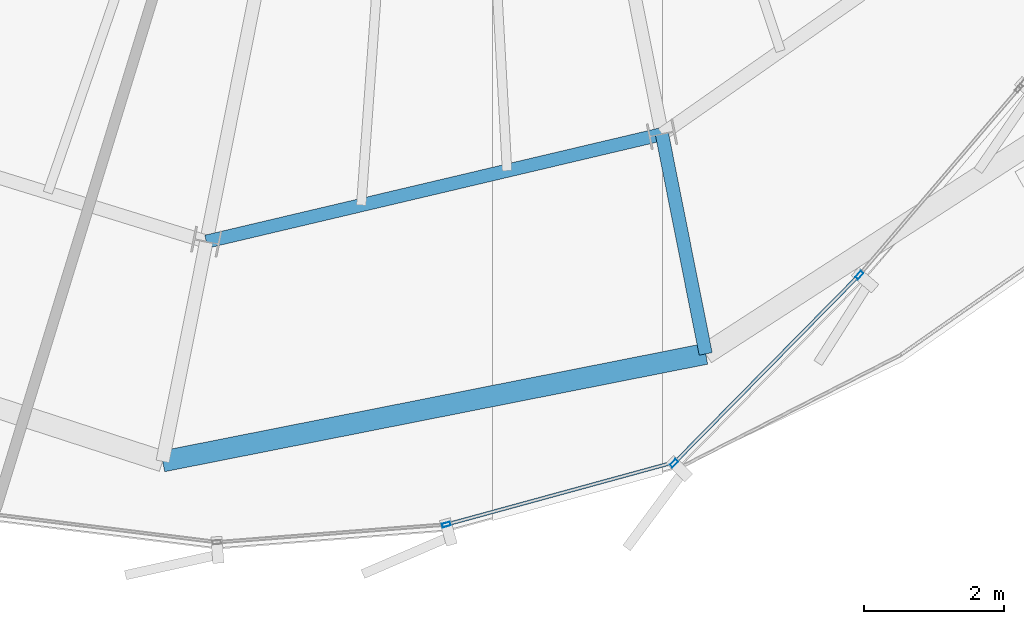
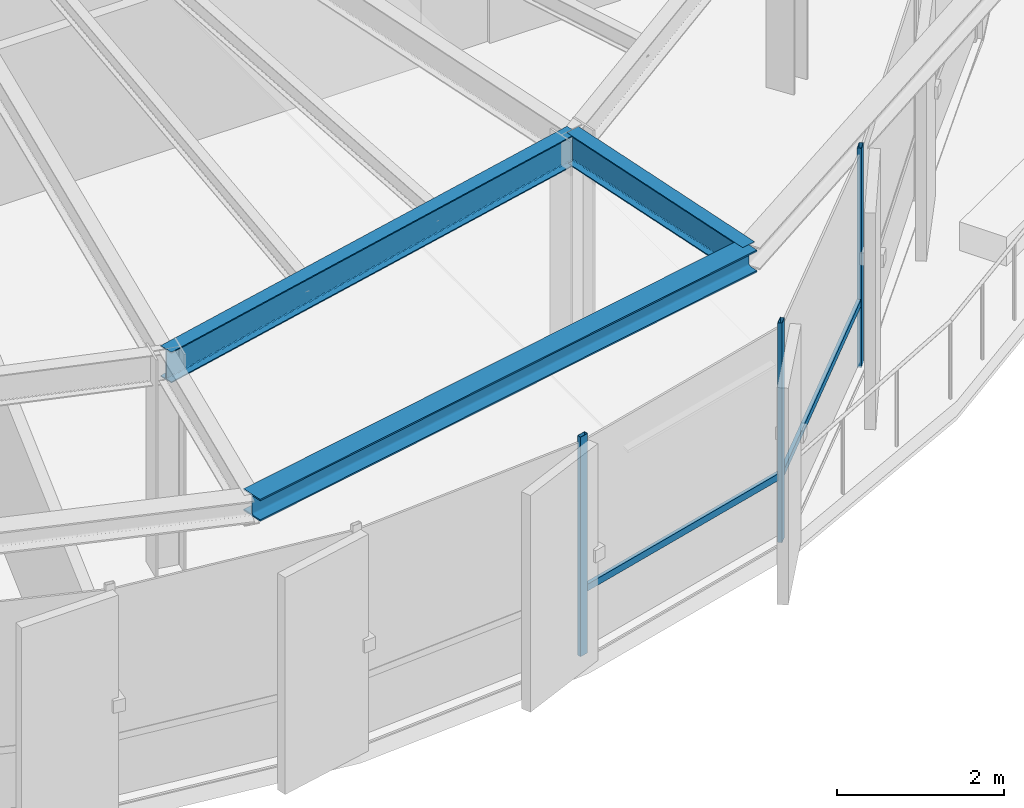
# One storey, part 6 of 30: 5 members, 3 beams, 1 element without a shape of its own.
"""IFC4 building model written with IfcOpenShell, lengths in metres."""

import ifcopenshell
import ifcopenshell.guid

model = None  # the IFC model being written
_history = None  # IfcOwnerHistory: only IFC2X3 demands one
_inside = {}  # id of a spatial element -> (the spatial element, [elements in it])
_under = {}  # id of a project, library or spatial element -> (it, [spatial elements below it])
_declared = {}  # id of a project -> (the project, [libraries it declares])
_typed = {}  # id of a type object -> (the type object, [elements of that type])
_made_of = {}  # id of a material, layer set ... -> (it, [elements and type objects made of it])


def new_model(schema):
    """Start an empty IFC model of exactly this schema.

    Asked for "IFC4X3", IfcOpenShell would pick the latest addendum, in which some entities
    have other attributes; the version numbers below select the first issue.
    IFC2X3 requires an IfcOwnerHistory on every rooted entity: one is made here for all.
    """
    global model, _history
    if schema == "IFC4X3":
        model = ifcopenshell.file(schema_version=(4, 3, 0, 0))
    else:
        model = ifcopenshell.file(schema=schema)
    _inside.clear()
    _under.clear()
    _declared.clear()
    _typed.clear()
    _made_of.clear()
    _history = None
    if model.schema == "IFC2X3":
        org = make("IfcOrganization", Name="unknown")
        user = make(
            "IfcPersonAndOrganization",
            ThePerson=make("IfcPerson", FamilyName="unknown"),
            TheOrganization=org,
        )
        app = make(
            "IfcApplication",
            ApplicationDeveloper=org,
            Version="unknown",
            ApplicationFullName="unknown",
            ApplicationIdentifier="unknown",
        )
        _history = make(
            "IfcOwnerHistory",
            OwningUser=user,
            OwningApplication=app,
            ChangeAction="ADDED",
            CreationDate=0,
        )
    return model


def make(cls, **values):
    """One entity of the class cls with the attributes given. An attribute that is None is left unset."""
    return model.create_entity(
        cls, **{name: value for name, value in values.items() if value is not None}
    )


def rooted(cls, **values):
    """An entity with a GlobalId (a new one), such as an element, a storey or a relation."""
    return make(cls, GlobalId=ifcopenshell.guid.new(), OwnerHistory=_history, **values)


def si_unit(unit_type, name, prefix=None):
    """IfcSIUnit, for example si_unit("LENGTHUNIT", "METRE", prefix="MILLI")."""
    return make("IfcSIUnit", UnitType=unit_type, Prefix=prefix, Name=name)


def assignment(units):
    """IfcUnitAssignment: the units of a project."""
    return None if units is None else make("IfcUnitAssignment", Units=units)


def point(xyz):
    """IfcCartesianPoint."""
    return None if xyz is None else make("IfcCartesianPoint", Coordinates=xyz)


def direction(xyz):
    """IfcDirection."""
    return None if xyz is None else make("IfcDirection", DirectionRatios=xyz)


def frame(location, z_axis=None, x_axis=None):
    """IfcAxis2Placement3D, a coordinate frame: its origin and axes. An axis left out is left unset."""
    return make(
        "IfcAxis2Placement3D",
        Location=point(location),
        Axis=direction(z_axis),
        RefDirection=direction(x_axis),
    )


def frame_2d(location, x_axis=None):
    """IfcAxis2Placement2D, a coordinate frame in the plane: its origin and x axis."""
    return make(
        "IfcAxis2Placement2D", Location=point(location), RefDirection=direction(x_axis)
    )


def origin():
    """The frame at (0, 0, 0) with its axes left unset."""
    return frame((0.0, 0.0, 0.0))


def origin_2d():
    """The frame at (0, 0) in the plane with its x axis left unset."""
    return frame_2d((0.0, 0.0))


def place(relative_to, where):
    """IfcLocalPlacement: puts the frame where relative to a parent placement (None: the world)."""
    return make(
        "IfcLocalPlacement", PlacementRelTo=relative_to, RelativePlacement=where
    )


def context(
    kind, dimensions, precision=None, world=None, true_north=None, identifier=None
):
    """IfcGeometricRepresentationContext, for example the 3D "Model" context."""
    return make(
        "IfcGeometricRepresentationContext",
        ContextIdentifier=identifier,
        ContextType=kind,
        CoordinateSpaceDimension=dimensions,
        Precision=precision,
        WorldCoordinateSystem=world,
        TrueNorth=true_north,
    )


def subcontext(parent, identifier, kind, view, scale=None):
    """IfcGeometricRepresentationSubContext, for example "Body" below "Model"."""
    return make(
        "IfcGeometricRepresentationSubContext",
        ContextIdentifier=identifier,
        ContextType=kind,
        ParentContext=parent,
        TargetScale=scale,
        TargetView=view,
    )


def project(units=None, contexts=None):
    """IfcProject with its units and contexts."""
    return rooted(
        "IfcProject",
        Name="project",
        RepresentationContexts=contexts,
        UnitsInContext=assignment(units),
    )


def spatial(cls, under=None, at=None, **own):
    """A site, building, storey or space (cls), placed at a placement, below another one or the project."""
    s = rooted(cls, ObjectPlacement=at, **own)
    if under is not None:
        _under.setdefault(under.id(), (under, []))[1].append(s)
    return s


def profile(cls, at=None, kind="AREA", **sizes):
    """A parametric profile (cls). Its sizes go by their IFC names, for example OverallWidth=200.0."""
    return make(cls, ProfileType=kind, Position=at, **sizes)


def hollow_rectangle(**sizes):
    """IfcRectangleHollowProfileDef."""
    return profile("IfcRectangleHollowProfileDef", **sizes)


def i_section(**sizes):
    """IfcIShapeProfileDef."""
    return profile("IfcIShapeProfileDef", **sizes)


def extrude(swept, where, along, depth):
    """IfcExtrudedAreaSolid: the profile swept, set in the frame where, extruded along a direction by depth."""
    return make(
        "IfcExtrudedAreaSolid",
        SweptArea=swept,
        Position=where,
        ExtrudedDirection=direction(along),
        Depth=depth,
    )


def shape(context_of_items, identifier, shape_type, items):
    """IfcShapeRepresentation: the items that make up one representation, for example the "Body"."""
    return make(
        "IfcShapeRepresentation",
        ContextOfItems=context_of_items,
        RepresentationIdentifier=identifier,
        RepresentationType=shape_type,
        Items=items,
    )


def source(mapping_origin, context_of_items, identifier, shape_type, items):
    """IfcRepresentationMap: a shape defined once, which mapped items show again and again."""
    return make(
        "IfcRepresentationMap",
        MappingOrigin=mapping_origin,
        MappedRepresentation=shape(context_of_items, identifier, shape_type, items),
    )


def transform(
    local_origin,
    x_axis=None,
    y_axis=None,
    z_axis=None,
    scale=None,
    scale2=None,
    scale3=None,
    uniform=True,
):
    """IfcCartesianTransformationOperator3D, or its non-uniform kind. x_axis, y_axis, z_axis: its Axis1, 2, 3."""
    if uniform:
        return make(
            "IfcCartesianTransformationOperator3D",
            Axis1=direction(x_axis),
            Axis2=direction(y_axis),
            LocalOrigin=point(local_origin),
            Scale=scale,
            Axis3=direction(z_axis),
        )
    return make(
        "IfcCartesianTransformationOperator3DnonUniform",
        Axis1=direction(x_axis),
        Axis2=direction(y_axis),
        LocalOrigin=point(local_origin),
        Scale=scale,
        Axis3=direction(z_axis),
        Scale2=scale2,
        Scale3=scale3,
    )


def mapped(mapping_source, mapping_target):
    """IfcMappedItem: shows the shape of a source again, moved by a transform."""
    return make(
        "IfcMappedItem", MappingSource=mapping_source, MappingTarget=mapping_target
    )


def material(Name=None, Category=None):
    """IfcMaterial."""
    return make("IfcMaterial", Name=Name, Category=Category)


def layer(
    of_material, thickness, ventilated=None, Name=None, Category=None, Priority=None
):
    """IfcMaterialLayer: one layer of a wall or slab, of a material (None: an air gap)."""
    return make(
        "IfcMaterialLayer",
        Material=of_material,
        LayerThickness=thickness,
        IsVentilated=ventilated,
        Name=Name,
        Category=Category,
        Priority=Priority,
    )


def layer_set(layers, Name=None):
    """IfcMaterialLayerSet."""
    return make("IfcMaterialLayerSet", MaterialLayers=layers, LayerSetName=Name)


def material_profile(
    of_material, cross_section, Name=None, Category=None, Priority=None
):
    """IfcMaterialProfile: a cross section and its material."""
    return make(
        "IfcMaterialProfile",
        Name=Name,
        Material=of_material,
        Profile=cross_section,
        Priority=Priority,
        Category=Category,
    )


def profile_set(profiles, Name=None, composite=None):
    """IfcMaterialProfileSet."""
    return make(
        "IfcMaterialProfileSet",
        Name=Name,
        MaterialProfiles=profiles,
        CompositeProfile=composite,
    )


def made_of(thing, what):
    """Note that an element or type object is made of a material, layer set ...; save() writes the relation."""
    if what is not None:
        _made_of.setdefault(what.id(), (what, []))[1].append(thing)
    return thing


def type_object(cls, material=None, **own):
    """A type object (cls), such as IfcWallType, which elements share."""
    return made_of(rooted(cls, **own), material)


def element(
    cls,
    number,
    at=None,
    inside=None,
    cuts=None,
    type_object=None,
    material=None,
    context=None,
    identifier="Body",
    shape_type=None,
    held_by="IfcProductDefinitionShape",
    body=None,
    shapes=None,
    **own,
):
    """One element of the class cls, such as IfcWall. Its Tag is "e" and its number.

    at: its placement. inside: the storey or other place that contains it. cuts: it is an
    opening in that element (IfcRelVoidsElement). A single representation is given by context,
    identifier, shape_type and body (its items); several are given by shapes. held_by: the class
    of the entity that holds the representations. save() writes the other relations.
    """
    e = rooted(cls, Tag="e%d" % number, ObjectPlacement=at, **own)
    if body is not None:
        shapes = [shape(context, identifier, shape_type, body)]
    if shapes is not None:
        e.Representation = make(held_by, Representations=shapes)
    if inside is not None:
        _inside.setdefault(inside.id(), (inside, []))[1].append(e)
    if cuts is not None:
        rooted(
            "IfcRelVoidsElement", RelatingBuildingElement=cuts, RelatedOpeningElement=e
        )
    if type_object is not None:
        _typed.setdefault(type_object.id(), (type_object, []))[1].append(e)
    return made_of(e, material)


def aggregate(whole, parts):
    """IfcRelAggregates: a whole, such as a stair, and the parts it consists of."""
    return rooted("IfcRelAggregates", RelatingObject=whole, RelatedObjects=parts)


def save(model, path):
    """Write the relations noted so far, then the file.

    IfcRelAggregates (storeys below a building ...), IfcRelContainedInSpatialStructure (elements
    in a storey), IfcRelDefinesByType, IfcRelAssociatesMaterial and IfcRelDeclares: one each for
    every whole, place, type object, material and project.
    """
    for whole, parts in _under.values():
        aggregate(whole, parts)
    for where, things in _inside.values():
        rooted(
            "IfcRelContainedInSpatialStructure",
            RelatedElements=things,
            RelatingStructure=where,
        )
    for kind, things in _typed.values():
        rooted("IfcRelDefinesByType", RelatedObjects=things, RelatingType=kind)
    for what, things in _made_of.values():
        rooted("IfcRelAssociatesMaterial", RelatedObjects=things, RelatingMaterial=what)
    for by, libraries in _declared.values():
        rooted("IfcRelDeclares", RelatingContext=by, RelatedDefinitions=libraries)
    model.write(path)


model = new_model("IFC4")

# Units and contexts
model_context = context("Model", 3, precision=1e-05, world=origin(), true_north=direction((0.0, 1.0)))
body_context = subcontext(model_context, "Body", "Model", "MODEL_VIEW")
ifc_project = project(units=[si_unit("LENGTHUNIT", "METRE"), si_unit("AREAUNIT", "SQUARE_METRE"), si_unit("VOLUMEUNIT", "CUBIC_METRE"), si_unit("PLANEANGLEUNIT", "RADIAN"), si_unit("MASSUNIT", "GRAM", prefix="KILO"), si_unit("THERMODYNAMICTEMPERATUREUNIT", "KELVIN")], contexts=[model_context])

# Site, building, storey
site_placement = place(None, origin())
site = spatial("IfcSite", under=ifc_project, at=site_placement, CompositionType="ELEMENT")
building_placement = place(site_placement, origin())
building = spatial("IfcBuilding", under=site, at=building_placement, Name="Kethvar Cultural Tower", CompositionType="ELEMENT")
storey_placement = place(building_placement, frame((0.0, 0.0, 293.949951171875)))
storey = spatial("IfcBuildingStorey", under=building, at=storey_placement, Name="L78", CompositionType="ELEMENT", Elevation=293.949951171875)

# Beams
ifc_material_1 = material(Name="Steel S355J2", Category="steel")
ifc_material_profile_1 = material_profile(ifc_material_1, i_section(OverallWidth=0.18994140625, OverallDepth=0.449951171875, WebThickness=0.009521484375, FlangeThickness=0.0146484375, FilletRadius=0.02099609375, at=origin_2d()), Name="Steel S355J2 — IPE450")
ifc_profile_set_1 = profile_set([ifc_material_profile_1], Name="Steel S355J2 — IPE450")
beam_type_1 = type_object("IfcBeamType", Name="BM-IPE450", PredefinedType="BEAM", material=ifc_profile_set_1)
shared_shape_1 = source(origin(), body_context, "Body", "SweptSolid", [
    extrude(i_section(OverallWidth=0.18994140625, OverallDepth=0.449951171875, WebThickness=0.009521484375, FlangeThickness=0.0146484375, FilletRadius=0.02099609375, at=origin_2d()), origin(), (0.0, 0.0, 1.0), 3.199951171875),
])
beam_1_placement = place(storey_placement, frame((49.901611328125, 12.206787109375, 2.983154296875), z_axis=(0.195088965533, -0.980785550224, 0.0), x_axis=(0.980785550224, 0.195088965533, 0.0)))
element("IfcBeam", 1, at=beam_1_placement, inside=storey, type_object=beam_type_1, Name="L78 Perimeter Cantilever Beam RC-13", PredefinedType="BEAM", context=body_context, shape_type="MappedRepresentation", body=[
    mapped(shared_shape_1, transform((0.0, 0.0, 0.0), scale=1.0)),
])
shared_shape_2 = source(origin(), body_context, "Body", "SweptSolid", [
    extrude(i_section(OverallWidth=0.18994140625, OverallDepth=0.449951171875, WebThickness=0.009521484375, FlangeThickness=0.0146484375, FilletRadius=0.02099609375, at=origin_2d()), origin(), (0.0, 0.0, 1.0), 6.6875),
])
beam_2_placement = place(storey_placement, frame((43.392822265625, 10.67138671875, 2.983154296875), z_axis=(0.973286301494, 0.22959480683, 0.0), x_axis=(-0.22959480683, 0.973286301494, 0.0)))
element("IfcBeam", 2, at=beam_2_placement, inside=storey, type_object=beam_type_1, Name="L78 Column Ring Tie Beam CR-12", PredefinedType="BEAM", context=body_context, shape_type="MappedRepresentation", body=[
    mapped(shared_shape_2, transform((0.0, 0.0, 0.0), scale=1.0)),
])
ifc_material_profile_2 = material_profile(ifc_material_1, i_section(OverallWidth=0.300048828125, OverallDepth=0.320068359375, WebThickness=0.011474609375, FlangeThickness=0.0205078125, FilletRadius=0.027099609375, at=origin_2d()), Name="Steel S355J2 — HEB320")
ifc_profile_set_2 = profile_set([ifc_material_profile_2], Name="Steel S355J2 — HEB320")
beam_type_2 = type_object("IfcBeamType", Name="BM-SP320", PredefinedType="SPANDREL", material=ifc_profile_set_2)
shared_shape_3 = source(origin(), body_context, "Body", "SweptSolid", [
    extrude(i_section(OverallWidth=0.300048828125, OverallDepth=0.320068359375, WebThickness=0.011474609375, FlangeThickness=0.0205078125, FilletRadius=0.027099609375, at=origin_2d()), origin(), (0.0, 0.0, 1.0), 7.907958984375),
])
beam_3_placement = place(storey_placement, frame((42.7685546875, 7.53271484375, 3.048095703125), z_axis=(0.980963515828, 0.194192122948, 0.0), x_axis=(-0.194192122948, 0.980963515828, 0.0)))
element("IfcBeam", 3, at=beam_3_placement, inside=storey, type_object=beam_type_2, Name="L78 Perimeter Spandrel Beam SP-12", PredefinedType="SPANDREL", context=body_context, shape_type="MappedRepresentation", body=[
    mapped(shared_shape_3, transform((0.0, 0.0, 0.0), scale=1.0)),
])

# Curtain wall, members
ifc_material_2 = material(Name="Aluminium 6063-T6", Category="aluminium")
ifc_layer = layer(ifc_material_2, 0.179931640625, Name="Aluminium 6063-T6", Category="aluminium")
ifc_layer_set = layer_set([ifc_layer], Name="Aluminium 6063-T6 (180 mm)")
curtain_wall_type = type_object("IfcCurtainWallType", Name="CW-SYS-05-Z56", PredefinedType="NOTDEFINED", material=ifc_layer_set)
curtain_wall_placement = place(storey_placement, origin())
curtain_wall = element("IfcCurtainWall", 4, at=curtain_wall_placement, inside=storey, type_object=curtain_wall_type, Name="L78 Curtain Wall Run 04", PredefinedType="NOTDEFINED")
ifc_material_profile_3 = material_profile(ifc_material_2, hollow_rectangle(XDim=0.054931640625, YDim=0.1201171875, WallThickness=0.00390625, at=origin_2d()), Name="Aluminium 6063-T6 — RHS120x55x4")
ifc_profile_set_3 = profile_set([ifc_material_profile_3], Name="Aluminium 6063-T6 — RHS120x55x4")
member_type_1 = type_object("IfcMemberType", Name="CW-SYS-05-Z56-MUL", PredefinedType="MULLION", material=ifc_profile_set_3)
shared_shape_4 = source(origin(), body_context, "Body", "SweptSolid", [
    extrude(hollow_rectangle(XDim=0.054931640625, YDim=0.1201171875, WallThickness=0.00390625, at=origin_2d()), origin(), (0.0, 0.0, 1.0), 3.2099609375),
])
member_1_placement = place(storey_placement, frame((46.821044921875, 6.630126953125, 0.0), z_axis=(0.0, 0.0, 1.0), x_axis=(-0.26390671921, 0.964548206963, 0.0)))
member_1 = element("IfcMember", 5, at=member_1_placement, type_object=member_type_1, Name="CW-L78-R04 Mullion 4", PredefinedType="MULLION", context=body_context, shape_type="MappedRepresentation", body=[
    mapped(shared_shape_4, transform((0.0, 0.0, 0.0), scale=1.0)),
])
member_2_placement = place(storey_placement, frame((50.072021484375, 7.505615234375, 0.0), z_axis=(0.0, 0.0, 1.0), x_axis=(-0.712614030425, 0.701556301121, 0.0)))
member_2 = element("IfcMember", 6, at=member_2_placement, type_object=member_type_1, Name="CW-L78-R04 Mullion 5", PredefinedType="MULLION", context=body_context, shape_type="MappedRepresentation", body=[
    mapped(shared_shape_4, transform((0.0, 0.0, 0.0), scale=1.0)),
])
member_3_placement = place(storey_placement, frame((52.71923828125, 10.194091796875, 0.0), z_axis=(0.0, 0.0, 1.0), x_axis=(-0.760145199185, 0.649753242513, 0.0)))
member_3 = element("IfcMember", 7, at=member_3_placement, type_object=member_type_1, Name="CW-L78-R04 Mullion 6", PredefinedType="MULLION", context=body_context, shape_type="MappedRepresentation", body=[
    mapped(shared_shape_4, transform((0.0, 0.0, 0.0), scale=1.0)),
])
ifc_material_profile_4 = material_profile(ifc_material_2, hollow_rectangle(XDim=0.050048828125, YDim=0.10009765625, WallThickness=0.00390625, at=origin_2d()), Name="Aluminium 6063-T6 — RHS100x50x4")
ifc_profile_set_4 = profile_set([ifc_material_profile_4], Name="Aluminium 6063-T6 — RHS100x50x4")
member_type_2 = type_object("IfcMemberType", Name="CW-SYS-05-Z56-TRN", PredefinedType="USERDEFINED", material=ifc_profile_set_4)
shared_shape_5 = source(origin(), body_context, "Body", "SweptSolid", [
    extrude(hollow_rectangle(XDim=0.050048828125, YDim=0.10009765625, WallThickness=0.00390625, at=origin_2d()), origin(), (0.0, 0.0, 1.0), 3.337646484375),
])
member_4_placement = place(storey_placement, frame((46.859375, 6.640625, 0.949951171875), z_axis=(0.96454403839, 0.263921954384, 0.0), x_axis=(-0.263921954384, 0.96454403839, 0.0)))
member_4 = element("IfcMember", 8, at=member_4_placement, type_object=member_type_2, Name="CW-L78-R04 Transom 4", ObjectType="TRANSOM", PredefinedType="USERDEFINED", context=body_context, shape_type="MappedRepresentation", body=[
    mapped(shared_shape_5, transform((0.0, 0.0, 0.0), scale=1.0)),
])
shared_shape_6 = source(origin(), body_context, "Body", "SweptSolid", [
    extrude(hollow_rectangle(XDim=0.050048828125, YDim=0.10009765625, WallThickness=0.00390625, at=origin_2d()), origin(), (0.0, 0.0, 1.0), 3.701171875),
])
member_5_placement = place(storey_placement, frame((50.099609375, 7.53369140625, 0.949951171875), z_axis=(0.701577458442, 0.712593200785, 0.0), x_axis=(-0.712593200785, 0.701577458442, 0.0)))
member_5 = element("IfcMember", 9, at=member_5_placement, type_object=member_type_2, Name="CW-L78-R04 Transom 5", ObjectType="TRANSOM", PredefinedType="USERDEFINED", context=body_context, shape_type="MappedRepresentation", body=[
    mapped(shared_shape_6, transform((0.0, 0.0, 0.0), scale=1.0)),
])
aggregate(curtain_wall, [member_1, member_2, member_3, member_4, member_5])

save(model, "model.ifc")
